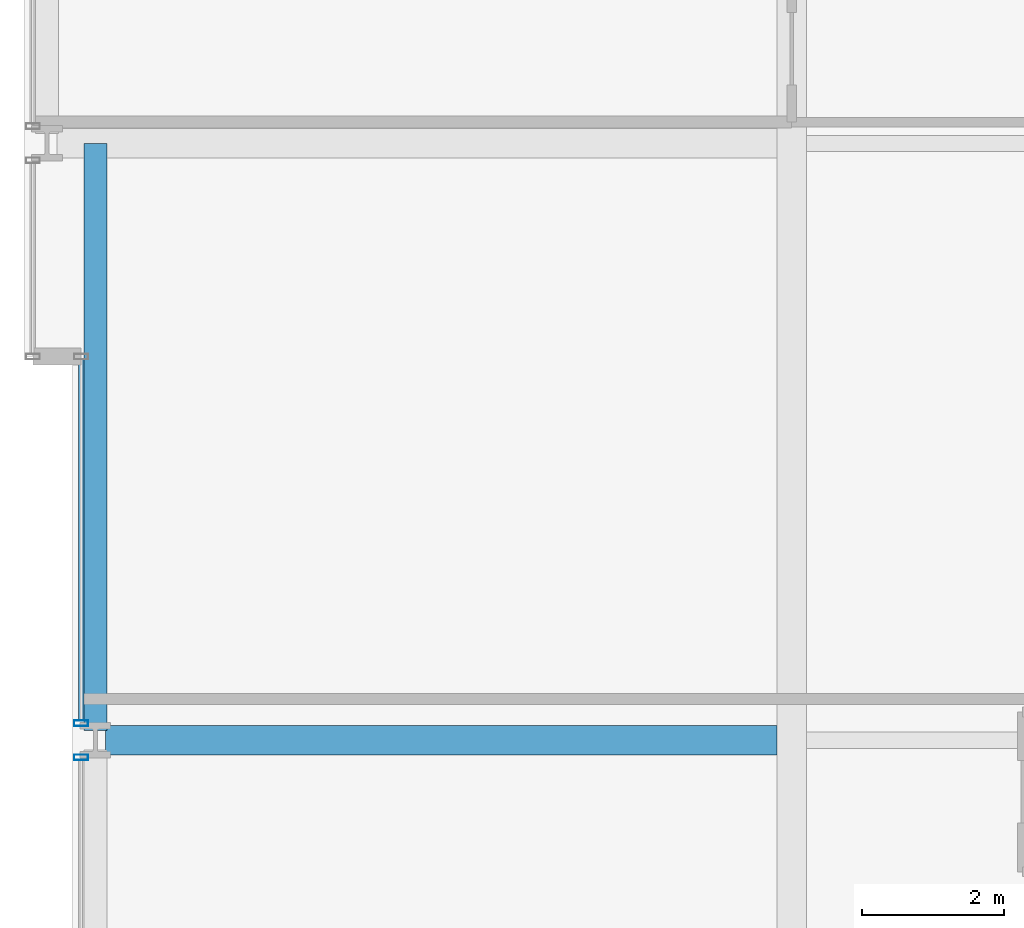
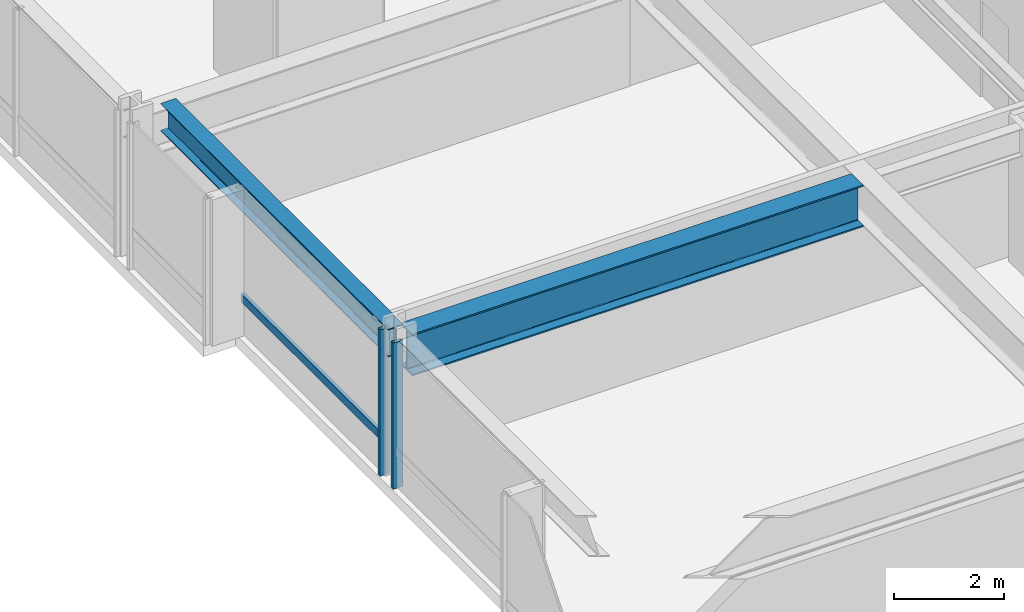
# One storey, part 9 of 38: 3 members, 2 beams, 2 elements without a shape of their own.
"""IFC4 building model written with IfcOpenShell, lengths in metres."""

from ifc_helpers import new_model, si_unit, direction, frame, origin, origin_2d, place, context, subcontext, project, spatial, hollow_rectangle, i_section, extrude, material, layer, layer_set, material_profile, profile_set, type_object, element, aggregate, save


model = new_model("IFC4")

# Units and contexts
model_context = context("Model", 3, precision=1e-05, world=origin(), true_north=direction((0.0, 1.0)))
body_context = subcontext(model_context, "Body", "Model", "MODEL_VIEW")
ifc_project = project(units=[si_unit("LENGTHUNIT", "METRE"), si_unit("AREAUNIT", "SQUARE_METRE"), si_unit("VOLUMEUNIT", "CUBIC_METRE"), si_unit("PLANEANGLEUNIT", "RADIAN"), si_unit("MASSUNIT", "GRAM", prefix="KILO")], contexts=[model_context])

# Site, building, storey
site_placement = place(None, origin())
site = spatial("IfcSite", under=ifc_project, at=site_placement, CompositionType="ELEMENT")
building_placement = place(site_placement, origin())
building = spatial("IfcBuilding", under=site, at=building_placement, Name="Drelvath Grand Hotel", CompositionType="ELEMENT")
storey_placement = place(building_placement, frame((0.0, 0.0, 47.199951171875)))
storey = spatial("IfcBuildingStorey", under=building, at=storey_placement, Name="L10", CompositionType="ELEMENT", Elevation=47.199951171875)

# Curtain wall, member
ifc_material_1 = material(Name="Warm Bronze Anodised Aluminium Frame", Category="aluminium")
ifc_layer = layer(ifc_material_1, 0.199951171875)
ifc_layer_set = layer_set([ifc_layer], Name="Warm Bronze Anodised Aluminium Frame")
curtain_wall_type = type_object("IfcCurtainWallType", Name="Stick Curtain Wall CW-02 Warm Bronze Low-Rise", PredefinedType="NOTDEFINED", material=ifc_layer_set)
curtain_wall_1_placement = place(storey_placement, origin())
curtain_wall_1 = element("IfcCurtainWall", 1, at=curtain_wall_1_placement, inside=storey, type_object=curtain_wall_type, Name="L10 CW-02 Curtain Wall CW02-L10-WM2", PredefinedType="NOTDEFINED")
ifc_material_profile_1 = material_profile(ifc_material_1, hollow_rectangle(XDim=0.074951171875, YDim=0.179931640625, WallThickness=0.0048828125, at=origin_2d()), Name="HSS180X75X5")
ifc_profile_set_1 = profile_set([ifc_material_profile_1], Name="Warm Bronze Anodised Aluminium Frame")
member_type_1 = type_object("IfcMemberType", Name="Curtain Wall Horizontal Transom CW-02 HSS180X75X5", PredefinedType="USERDEFINED", material=ifc_profile_set_1)
member_1_placement = place(storey_placement, frame((-26.199951171875, 27.281005859375, 0.81005859375), z_axis=(0.0, 1.0, 0.0), x_axis=(-1.0, 0.0, 0.0)))
member_1 = element("IfcMember", 2, at=member_1_placement, type_object=member_type_1, Name="CW02-L10-WM2 Sill Transom", ObjectType="TRANSOM", PredefinedType="USERDEFINED", context=body_context, shape_type="SweptSolid", body=[
    extrude(hollow_rectangle(XDim=0.074951171875, YDim=0.179931640625, WallThickness=0.0048828125, at=origin_2d()), origin(), (0.0, 0.0, 1.0), 5.0791015625),
])

curtain_wall_2_placement = place(storey_placement, origin())
curtain_wall_2 = element("IfcCurtainWall", 3, at=curtain_wall_2_placement, inside=storey, type_object=curtain_wall_type, Name="L10 CW-02 Curtain Wall CW02-L10-WM1", PredefinedType="NOTDEFINED")
ifc_material_profile_2 = material_profile(ifc_material_1, hollow_rectangle(XDim=0.080078125, YDim=0.199951171875, WallThickness=0.0048828125, at=origin_2d()), Name="HSS200X80X5")
ifc_profile_set_2 = profile_set([ifc_material_profile_2], Name="Warm Bronze Anodised Aluminium Frame")
member_type_2 = type_object("IfcMemberType", Name="Curtain Wall Vertical Mullion CW-02 HSS200X80X5", PredefinedType="MULLION", material=ifc_profile_set_2)
member_2_placement = place(storey_placement, frame((-26.199951171875, 26.759033203125, 0.0), z_axis=(0.0, 0.0, 1.0), x_axis=(0.0, 1.0, 0.0)))
member_2 = element("IfcMember", 4, at=member_2_placement, type_object=member_type_2, Name="CW02-L10-WM1 Mullion 2", PredefinedType="MULLION", context=body_context, shape_type="SweptSolid", body=[
    extrude(hollow_rectangle(XDim=0.080078125, YDim=0.199951171875, WallThickness=0.0048828125, at=origin_2d()), origin(), (0.0, 0.0, 1.0), 3.239990234375),
])
aggregate(curtain_wall_2, [member_2])

# Member
member_3_placement = place(storey_placement, frame((-26.199951171875, 27.240966796875, 0.0), z_axis=(0.0, 0.0, 1.0), x_axis=(0.0, 1.0, 0.0)))
member_3 = element("IfcMember", 5, at=member_3_placement, type_object=member_type_2, Name="CW02-L10-WM2 Mullion 1", PredefinedType="MULLION", context=body_context, shape_type="SweptSolid", body=[
    extrude(hollow_rectangle(XDim=0.080078125, YDim=0.199951171875, WallThickness=0.0048828125, at=origin_2d()), origin(), (0.0, 0.0, 1.0), 3.239990234375),
])

aggregate(curtain_wall_1, [member_3, member_1])

# Beams
ifc_material_2 = material(Name="Steel ASTM A992 Gr 50", Category="steel")
ifc_material_profile_3 = material_profile(ifc_material_2, i_section(OverallWidth=0.323974609375, OverallDepth=0.611083984375, WebThickness=0.0126953125, FlangeThickness=0.01904296875, FilletRadius=0.02197265625, at=origin_2d()), Name="W24X104")
ifc_profile_set_3 = profile_set([ifc_material_profile_3], Name="Steel ASTM A992 Gr 50")
beam_type_1 = type_object("IfcBeamType", Name="Perimeter Spandrel Beam W24X104", PredefinedType="SPANDREL", material=ifc_profile_set_3)
beam_1_placement = place(storey_placement, frame((-26.0, 27.139892578125, 2.9345703125), z_axis=(0.0, 1.0, 0.0), x_axis=(-1.0, 0.0, 0.0)))
element("IfcBeam", 6, at=beam_1_placement, inside=storey, type_object=beam_type_1, Name="L10 Spandrel West Mid N", PredefinedType="SPANDREL", context=body_context, shape_type="SweptSolid", body=[
    extrude(i_section(OverallWidth=0.323974609375, OverallDepth=0.611083984375, WebThickness=0.0126953125, FlangeThickness=0.01904296875, FilletRadius=0.02197265625, at=origin_2d()), origin(), (0.0, 0.0, 1.0), 8.260009765625),
])
ifc_material_profile_4 = material_profile(ifc_material_2, i_section(OverallWidth=0.418212890625, OverallDepth=0.926513671875, WebThickness=0.019287109375, FlangeThickness=0.031982421875, FilletRadius=0.028076171875, at=origin_2d()), Name="W36X231")
ifc_profile_set_4 = profile_set([ifc_material_profile_4], Name="Steel ASTM A992 Gr 50")
beam_type_2 = type_object("IfcBeamType", Name="Primary Floor Girder W36X231", PredefinedType="BEAM", material=ifc_profile_set_4)
beam_2_placement = place(storey_placement, frame((-25.860107421875, 27.0, 2.77685546875), z_axis=(1.0, 0.0, 0.0), x_axis=(0.0, 1.0, 0.0)))
element("IfcBeam", 7, at=beam_2_placement, inside=storey, type_object=beam_type_2, Name="L10 West Wing Girder E", PredefinedType="BEAM", context=body_context, shape_type="SweptSolid", body=[
    extrude(i_section(OverallWidth=0.418212890625, OverallDepth=0.926513671875, WebThickness=0.019287109375, FlangeThickness=0.031982421875, FilletRadius=0.028076171875, at=origin_2d()), origin(), (0.0, 0.0, 1.0), 9.450927734375),
])

save(model, "model.ifc")
